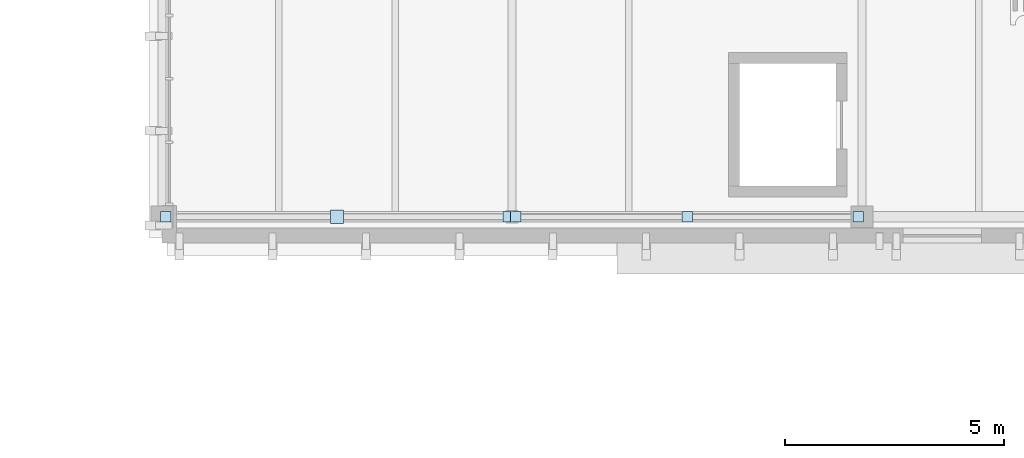
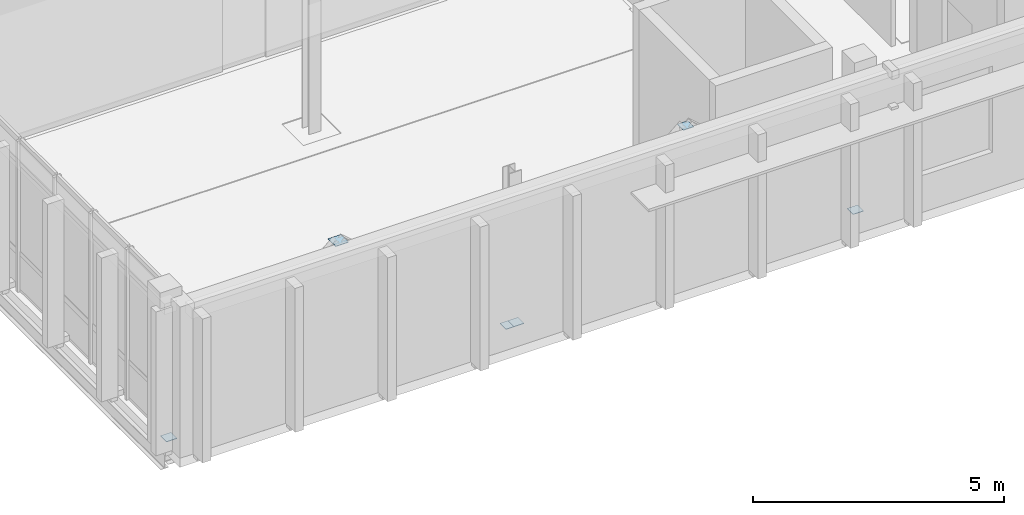
# One storey, part 23 of 40: 6 plates.
"""IFC4 building model written with IfcOpenShell, lengths in metres."""

from ifc_helpers import new_model, si_unit, direction, frame, origin, origin_2d, place, context, subcontext, project, spatial, rectangle, extrude, material, layer, layer_set, type_object, element, save


model = new_model("IFC4")

# Units and contexts
model_context = context("Model", 3, precision=1e-05, world=origin(), true_north=direction((0.0, 1.0)))
body_context = subcontext(model_context, "Body", "Model", "MODEL_VIEW")
ifc_project = project(units=[si_unit("LENGTHUNIT", "METRE"), si_unit("AREAUNIT", "SQUARE_METRE"), si_unit("VOLUMEUNIT", "CUBIC_METRE"), si_unit("PLANEANGLEUNIT", "RADIAN"), si_unit("MASSUNIT", "GRAM", prefix="KILO")], contexts=[model_context])

# Site, building, storey
site_placement = place(None, origin())
site = spatial("IfcSite", under=ifc_project, at=site_placement, CompositionType="ELEMENT")
building_placement = place(site_placement, origin())
building = spatial("IfcBuilding", under=site, at=building_placement, Name="Cymarion Research Institute", CompositionType="ELEMENT")
storey_placement = place(building_placement, frame((0.0, 0.0, 26.699951171875)))
storey = spatial("IfcBuildingStorey", under=building, at=storey_placement, Name="L06", CompositionType="ELEMENT", Elevation=26.699951171875)

# Plates
ifc_material = material(Name="Steel S355", Category="steel")
ifc_layer_1 = layer(ifc_material, 0.01806640625)
ifc_layer_set_1 = layer_set([ifc_layer_1], Name="Steel S355")
plate_type_1 = type_object("IfcPlateType", Name="STEEL NODE GUSSET PLATE CP01 18MM", PredefinedType="USERDEFINED", material=ifc_layer_set_1)
plate_placement = place(storey_placement, frame((18.60009765625, 47.5, 3.531005859375), z_axis=(0.0, 0.0, 1.0), x_axis=(1.0, 0.0, 0.0)))
element("IfcPlate", 1, at=plate_placement, inside=storey, type_object=plate_type_1, Name="L06 V4 chevron apex gusset plate", ObjectType="GUSSET PLATE", PredefinedType="USERDEFINED", context=body_context, shape_type="SweptSolid", body=[
    extrude(rectangle(XDim=0.300048828125, YDim=0.300048828125, at=origin_2d()), origin(), (0.0, 0.0, 1.0), 0.01806640625),
])
ifc_layer_2 = layer(ifc_material, 0.011962890625)
ifc_layer_set_2 = layer_set([ifc_layer_2], Name="Steel S355")
plate_type_2 = type_object("IfcPlateType", Name="STEEL NODE GUSSET PLATE CP02 12MM", PredefinedType="USERDEFINED", material=ifc_layer_set_2)
for number, where, z_axis, x_axis, name in (
    (2, (14.691162109375, 47.5, 0.1142578125), (0.0, 0.0, 1.0), (1.0, 0.0, 0.0), "L06 V4 chevron base gusset plate #1"),
    (3, (22.5087890625, 47.5, 0.1142578125), (0.0, 0.0, 1.0), (1.0, 0.0, 0.0), "L06 V4 chevron base gusset plate #2"),
    (4, (26.60009765625, 47.5, 3.5341796875), (0.0, 0.0, 1.0), (1.0, 0.0, 0.0), "L06 V4 chevron apex gusset plate"),
    (5, (22.691162109375, 47.5, 0.1142578125), (0.0, 0.0, 1.0), (1.0, 0.0, 0.0), "L06 V4 chevron base gusset plate #1"),
    (6, (30.5087890625, 47.5, 0.1142578125), (0.0, 0.0, 1.0), (1.0, 0.0, 0.0), "L06 V4 chevron base gusset plate #2"),
):
    element("IfcPlate", number, at=place(storey_placement, frame(where, z_axis=z_axis, x_axis=x_axis)), inside=storey, type_object=plate_type_2, Name=name, ObjectType="GUSSET PLATE", PredefinedType="USERDEFINED", context=body_context, shape_type="SweptSolid", body=[
        extrude(rectangle(XDim=0.239990234375, YDim=0.239990234375, at=origin_2d()), origin(), (0.0, 0.0, 1.0), 0.011962890625),
    ])

save(model, "model.ifc")
